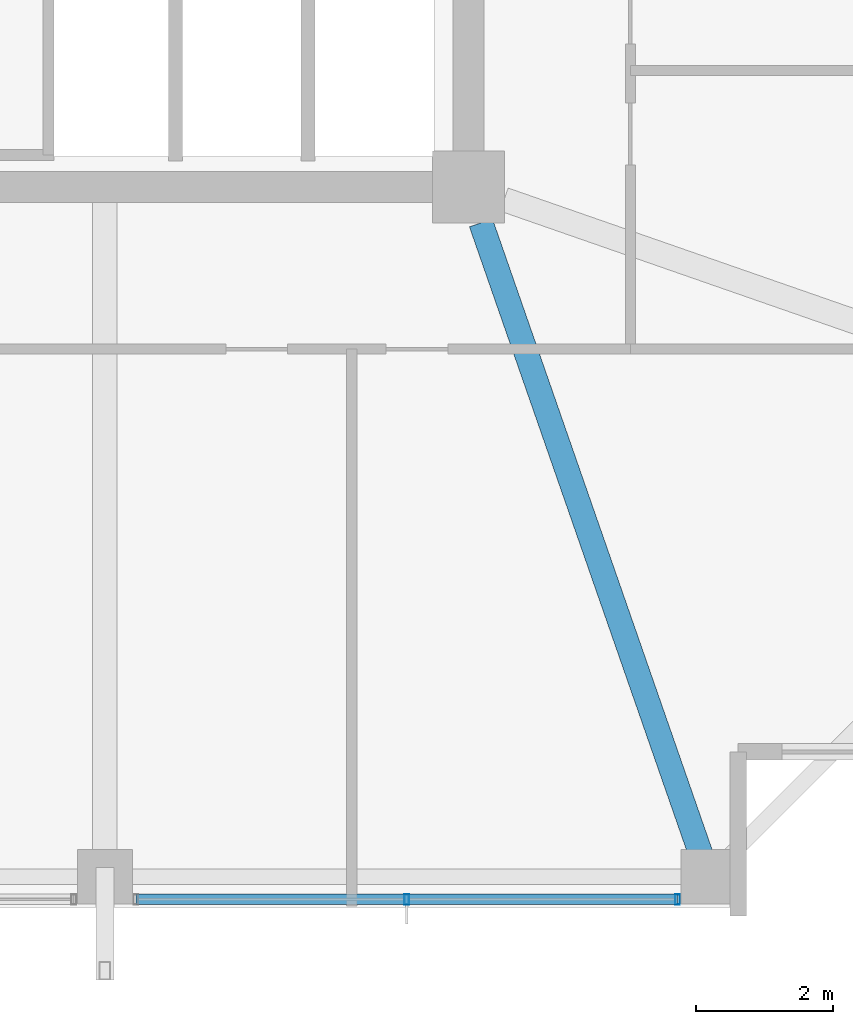
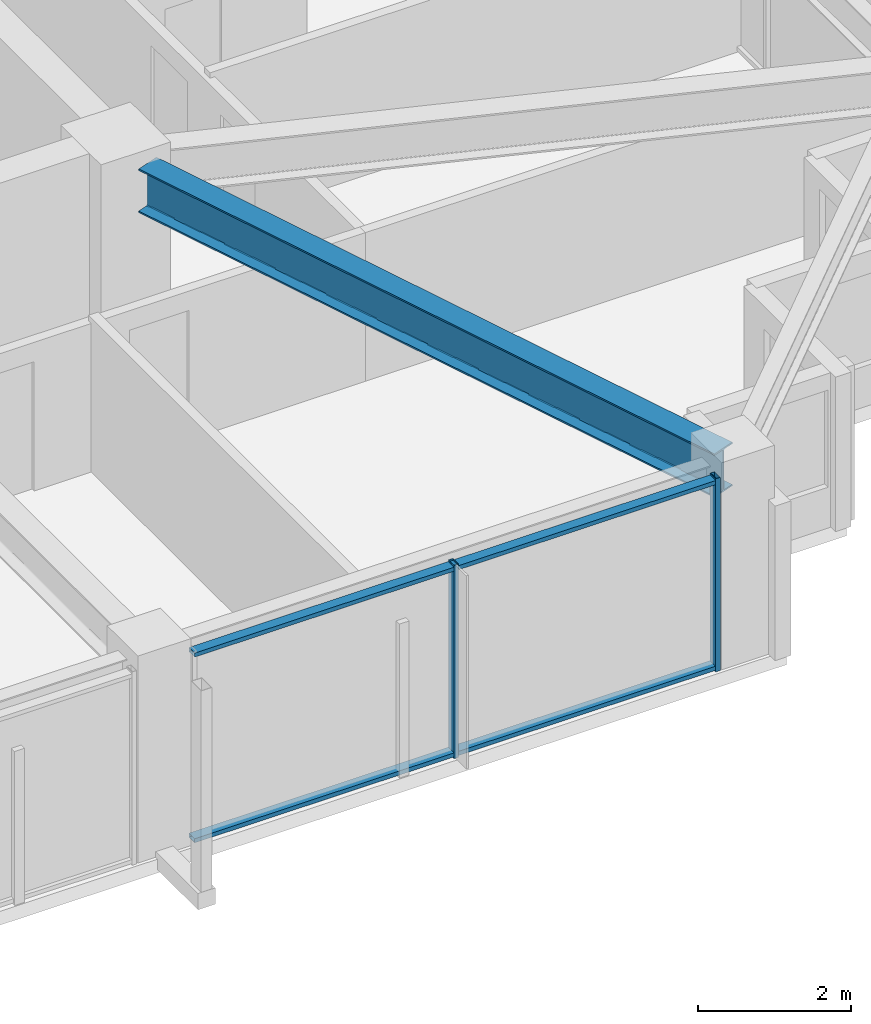
# One storey, part 10 of 35: 4 members, 1 beam, 1 element without a shape of its own.
"""IFC4 building model written with IfcOpenShell, lengths in metres."""

from ifc_helpers import new_model, si_unit, direction, frame, origin, origin_2d, place, context, subcontext, project, spatial, hollow_rectangle, i_section, extrude, material, material_profile, profile_set, type_object, element, aggregate, save


model = new_model("IFC4")

# Units and contexts
model_context = context("Model", 3, precision=1e-05, world=origin(), true_north=direction((0.0, 1.0)))
body_context = subcontext(model_context, "Body", "Model", "MODEL_VIEW")
ifc_project = project(units=[si_unit("LENGTHUNIT", "METRE"), si_unit("AREAUNIT", "SQUARE_METRE"), si_unit("VOLUMEUNIT", "CUBIC_METRE"), si_unit("PLANEANGLEUNIT", "RADIAN"), si_unit("MASSUNIT", "GRAM", prefix="KILO")], contexts=[model_context])

# Site, building, storey
site_placement = place(None, origin())
site = spatial("IfcSite", under=ifc_project, at=site_placement, CompositionType="ELEMENT")
building_placement = place(site_placement, origin())
building = spatial("IfcBuilding", under=site, at=building_placement, Name="Kolvaren Belvedere", CompositionType="ELEMENT")
storey_placement = place(building_placement, frame((0.0, 0.0, 216.300048828125)))
storey = spatial("IfcBuildingStorey", under=building, at=storey_placement, Name="L63", CompositionType="ELEMENT", Elevation=216.300048828125)

# Beam
ifc_material_1 = material(Name="Structural steel ASTM A992 Grade 50", Category="steel")
ifc_material_profile_1 = material_profile(ifc_material_1, i_section(OverallWidth=0.35498046875, OverallDepth=0.696044921875, WebThickness=0.015380859375, FlangeThickness=0.02490234375, FilletRadius=0.02197265625, at=origin_2d()), Name="W27X146")
ifc_profile_set_1 = profile_set([ifc_material_profile_1], Name="Structural steel ASTM A992 Grade 50")
beam_type = type_object("IfcBeamType", Name="BM-GIRD-W27X146", PredefinedType="BEAM", material=ifc_profile_set_1)
beam_placement = place(storey_placement, frame((10.080810546875, -10.41943359375, 2.73193359375), z_axis=(0.328898147971, -0.944365399758, 0.0), x_axis=(0.944365399758, 0.328898147971, 0.0)))
element("IfcBeam", 1, at=beam_placement, inside=storey, type_object=beam_type, Name="L63 Corner Core-to-Perimeter Girder CC2-S4", PredefinedType="BEAM", context=body_context, shape_type="SweptSolid", body=[
    extrude(i_section(OverallWidth=0.35498046875, OverallDepth=0.696044921875, WebThickness=0.015380859375, FlangeThickness=0.02490234375, FilletRadius=0.02197265625, at=origin_2d()), origin(), (0.0, 0.0, 1.0), 9.931884765625),
])

# Curtain wall, members
ifc_material_2 = material(Name="Anodised pale-metal aluminium AA 6063-T6", Category="aluminium")
curtain_wall_type = type_object("IfcCurtainWallType", Name="CW-Z5-HIGH", PredefinedType="NOTDEFINED", material=ifc_material_2)
curtain_wall_placement = place(storey_placement, origin())
curtain_wall = element("IfcCurtainWall", 2, at=curtain_wall_placement, inside=storey, type_object=curtain_wall_type, Name="L63 Unitised Curtain Wall FCW-L63-S-B1", PredefinedType="NOTDEFINED")
ifc_material_3 = material(Name="Anodised pale-metal aluminium AA 6063-T6", Category="aluminium")
ifc_material_profile_2 = material_profile(ifc_material_3, hollow_rectangle(XDim=0.070068359375, YDim=0.14990234375, WallThickness=0.004150390625, at=origin_2d()), Name="ALU-MUL-150X70")
ifc_profile_set_2 = profile_set([ifc_material_profile_2], Name="Anodised pale-metal aluminium AA 6063-T6")
member_type_1 = type_object("IfcMemberType", Name="CW-MUL-150", PredefinedType="MULLION", material=ifc_profile_set_2)
member_1_placement = place(storey_placement, frame((12.945068359375, -20.280029296875, 0.0), z_axis=(0.0, 0.0, 1.0), x_axis=(1.0, 0.0, 0.0)))
member_1 = element("IfcMember", 3, at=member_1_placement, type_object=member_type_1, Name="FCW-L63-S-B1 Unitised Mullion 1", PredefinedType="MULLION", context=body_context, shape_type="SweptSolid", body=[
    extrude(hollow_rectangle(XDim=0.070068359375, YDim=0.14990234375, WallThickness=0.004150390625, at=origin_2d()), origin(), (0.0, 0.0, 1.0), 3.079833984375),
])
member_2_placement = place(storey_placement, frame((9.0, -20.280029296875, 0.0), z_axis=(0.0, 0.0, 1.0), x_axis=(1.0, 0.0, 0.0)))
member_2 = element("IfcMember", 4, at=member_2_placement, type_object=member_type_1, Name="FCW-L63-S-B1 Unitised Mullion 2", PredefinedType="MULLION", context=body_context, shape_type="SweptSolid", body=[
    extrude(hollow_rectangle(XDim=0.070068359375, YDim=0.14990234375, WallThickness=0.004150390625, at=origin_2d()), origin(), (0.0, 0.0, 1.0), 3.079833984375),
])
ifc_material_4 = material(Name="Anodised pale-metal aluminium AA 6063-T6", Category="aluminium")
ifc_material_profile_3 = material_profile(ifc_material_4, hollow_rectangle(XDim=0.06494140625, YDim=0.14990234375, WallThickness=0.00390625, at=origin_2d()), Name="ALU-TRN-150X65")
ifc_profile_set_3 = profile_set([ifc_material_profile_3], Name="Anodised pale-metal aluminium AA 6063-T6")
member_type_2 = type_object("IfcMemberType", Name="CW-TRN-150", PredefinedType="USERDEFINED", material=ifc_profile_set_3)
member_3_placement = place(storey_placement, frame((12.945068359375, -20.280029296875, 0.06005859375), z_axis=(-1.0, 0.0, 0.0), x_axis=(0.0, 0.0, 1.0)))
member_3 = element("IfcMember", 5, at=member_3_placement, type_object=member_type_2, Name="FCW-L63-S-B1 Sill Transom", ObjectType="TRANSOM", PredefinedType="USERDEFINED", context=body_context, shape_type="SweptSolid", body=[
    extrude(hollow_rectangle(XDim=0.06494140625, YDim=0.14990234375, WallThickness=0.00390625, at=origin_2d()), origin(), (0.0, 0.0, 1.0), 7.89013671875),
])
member_4_placement = place(storey_placement, frame((12.945068359375, -20.280029296875, 3.02001953125), z_axis=(-1.0, 0.0, 0.0), x_axis=(0.0, 0.0, 1.0)))
member_4 = element("IfcMember", 6, at=member_4_placement, type_object=member_type_2, Name="FCW-L63-S-B1 Head Transom", ObjectType="TRANSOM", PredefinedType="USERDEFINED", context=body_context, shape_type="SweptSolid", body=[
    extrude(hollow_rectangle(XDim=0.06494140625, YDim=0.14990234375, WallThickness=0.00390625, at=origin_2d()), origin(), (0.0, 0.0, 1.0), 7.89013671875),
])
aggregate(curtain_wall, [member_1, member_2, member_3, member_4])

save(model, "model.ifc")
